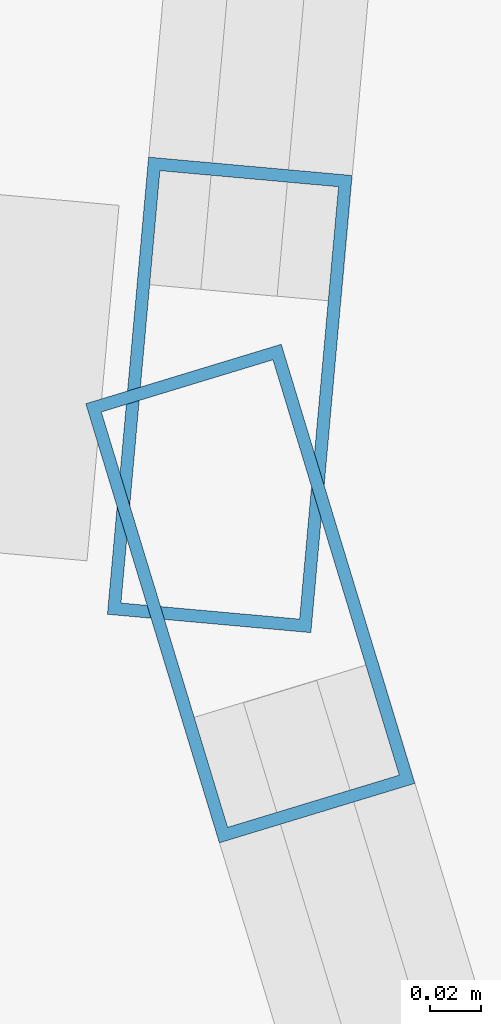
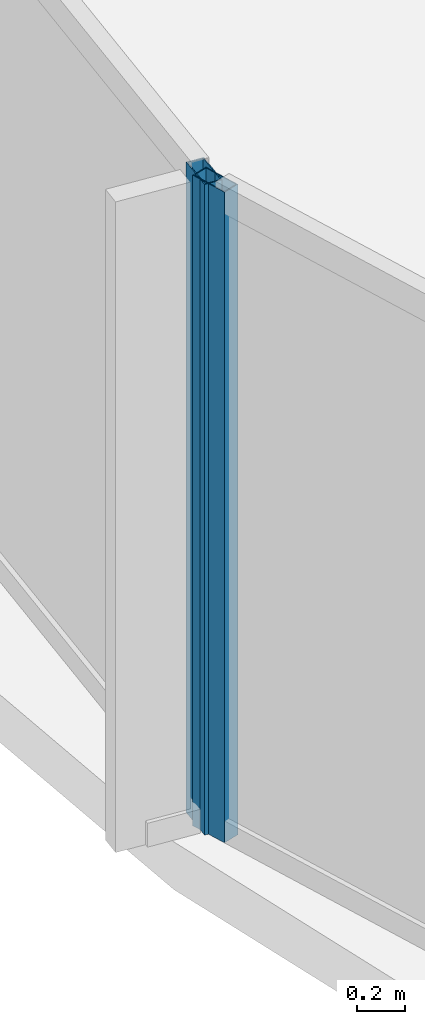
# One storey, part 8 of 33: 2 members, 2 elements without a shape of their own.
"""IFC4 building model written with IfcOpenShell, lengths in metres."""

from ifc_helpers import new_model, si_unit, direction, frame, origin, origin_2d, place, context, subcontext, project, spatial, hollow_rectangle, extrude, material, layer, layer_set, material_profile, profile_set, type_object, element, aggregate, save


model = new_model("IFC4")

# Units and contexts
model_context = context("Model", 3, precision=1e-05, world=origin(), true_north=direction((0.0, 1.0)))
body_context = subcontext(model_context, "Body", "Model", "MODEL_VIEW")
ifc_project = project(units=[si_unit("LENGTHUNIT", "METRE"), si_unit("AREAUNIT", "SQUARE_METRE"), si_unit("VOLUMEUNIT", "CUBIC_METRE"), si_unit("PLANEANGLEUNIT", "RADIAN"), si_unit("MASSUNIT", "GRAM", prefix="KILO")], contexts=[model_context])

# Site, building, storey
site_placement = place(None, origin())
site = spatial("IfcSite", under=ifc_project, at=site_placement, CompositionType="ELEMENT")
building_placement = place(site_placement, origin())
building = spatial("IfcBuilding", under=site, at=building_placement, Name="Kazevale Care Tower and Concert Hall", CompositionType="ELEMENT")
storey_placement = place(building_placement, frame((0.0, 0.0, 178.199951171875)))
storey = spatial("IfcBuildingStorey", under=building, at=storey_placement, Name="L47", CompositionType="ELEMENT", Elevation=178.199951171875)

# Curtain wall, member
ifc_material_1 = material(Name="Aluminium 6063-T6 and Low-E Glass", Category="aluminium")
ifc_layer = layer(ifc_material_1, 0.179931640625)
ifc_layer_set = layer_set([ifc_layer], Name="Aluminium 6063-T6 and Low-E Glass")
curtain_wall_type = type_object("IfcCurtainWallType", Name="Waist & Upper Residential Curtain Wall CW-4", PredefinedType="NOTDEFINED", material=ifc_layer_set)
curtain_wall_1_placement = place(storey_placement, origin())
curtain_wall_1 = element("IfcCurtainWall", 1, at=curtain_wall_1_placement, inside=storey, type_object=curtain_wall_type, Name="cw:L47:f12", PredefinedType="NOTDEFINED")
ifc_material_2 = material(Name="Aluminium 6063-T6", Category="aluminium")
ifc_material_profile = material_profile(ifc_material_2, hollow_rectangle(XDim=0.080078125, YDim=0.179931640625, WallThickness=0.0048828125, at=origin_2d()), Name="ALU80x180x5")
ifc_profile_set = profile_set([ifc_material_profile], Name="Aluminium 6063-T6")
member_type = type_object("IfcMemberType", Name="CW-4 Mullion ALU80x180x5", PredefinedType="MULLION", material=ifc_profile_set)
member_1_placement = place(storey_placement, frame((11.006591796875, 34.98583984375, 0.0), z_axis=(0.0, 0.0, 1.0), x_axis=(-0.956729897234, -0.290977496961, 0.0)))
member_1 = element("IfcMember", 2, at=member_1_placement, type_object=member_type, Name="CW-4 mullion 2", PredefinedType="MULLION", context=body_context, shape_type="SweptSolid", body=[
    extrude(hollow_rectangle(XDim=0.080078125, YDim=0.179931640625, WallThickness=0.0048828125, at=origin_2d()), origin(), (0.0, 0.0, 1.0), 3.280029296875),
])
aggregate(curtain_wall_1, [member_1])

curtain_wall_2_placement = place(storey_placement, origin())
curtain_wall_2 = element("IfcCurtainWall", 3, at=curtain_wall_2_placement, inside=storey, type_object=curtain_wall_type, Name="cw:L47:f13", PredefinedType="NOTDEFINED")
member_2_placement = place(storey_placement, frame((10.99853515625, 35.063720703125, 0.0), z_axis=(0.0, 0.0, 1.0), x_axis=(-0.995969703525, 0.089690298589, 0.0)))
member_2 = element("IfcMember", 4, at=member_2_placement, type_object=member_type, Name="CW-4 mullion 1", PredefinedType="MULLION", context=body_context, shape_type="SweptSolid", body=[
    extrude(hollow_rectangle(XDim=0.080078125, YDim=0.179931640625, WallThickness=0.0048828125, at=origin_2d()), origin(), (0.0, 0.0, 1.0), 3.280029296875),
])
aggregate(curtain_wall_2, [member_2])

save(model, "model.ifc")
